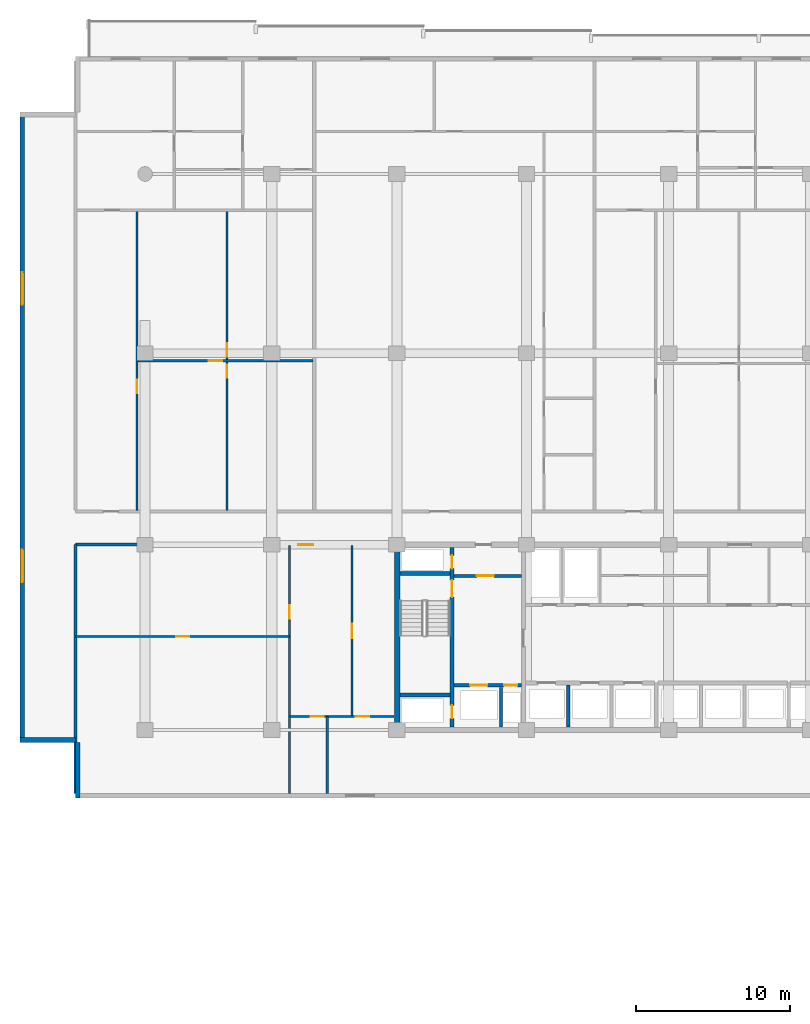
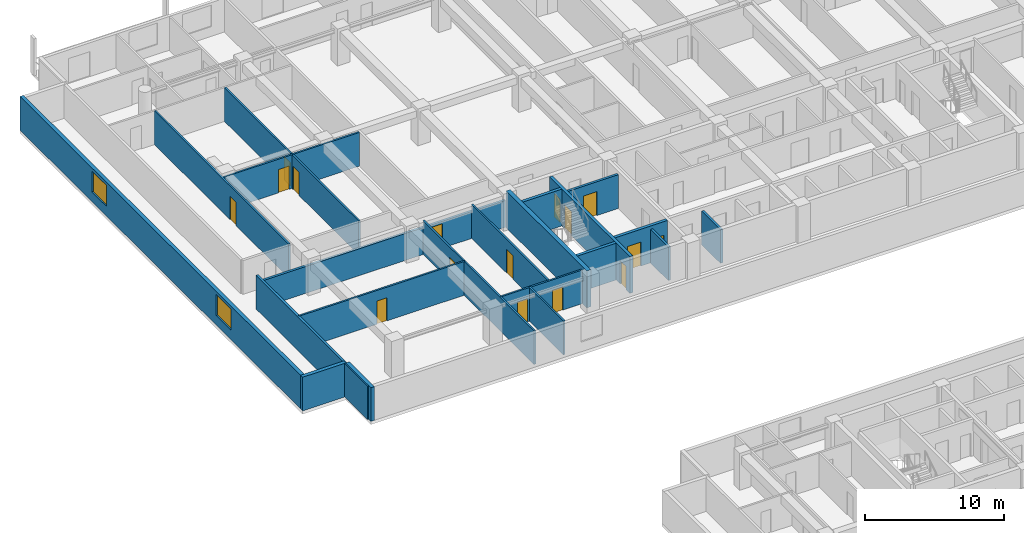
# One storey, part 10 of 24: 21 walls, 16 doors, 2 windows, 18 openings.
"""IFC4 building model written with IfcOpenShell, lengths in metres."""

from ifc_helpers import new_model, si_unit, direction, frame, frame_2d, origin, place, context, subcontext, project, spatial, rectangle, extrude, material, layer, layer_set, type_object, element, fill, save


model = new_model("IFC4")

# Units and contexts
model_context = context("Model", 3, precision=1e-05, world=origin(), true_north=direction((0.0, 1.0)))
body_context = subcontext(model_context, "Body", "Model", "MODEL_VIEW")
ifc_project = project(units=[si_unit("LENGTHUNIT", "METRE"), si_unit("AREAUNIT", "SQUARE_METRE"), si_unit("VOLUMEUNIT", "CUBIC_METRE"), si_unit("PLANEANGLEUNIT", "RADIAN"), si_unit("MASSUNIT", "GRAM", prefix="KILO")], contexts=[model_context])

# Site, building, storey
site_placement = place(None, origin())
site = spatial("IfcSite", under=ifc_project, at=site_placement, CompositionType="ELEMENT")
building_placement = place(site_placement, origin())
building = spatial("IfcBuilding", under=site, at=building_placement, Name="Korimba Cascade Residences", CompositionType="ELEMENT")
storey_placement = place(building_placement, frame((0.0, 0.0, 43.5)))
storey = spatial("IfcBuildingStorey", under=building, at=storey_placement, Name="L11", CompositionType="ELEMENT", Elevation=43.5)

# Wall, openings, windows
ifc_material_1 = material(Name="Precast concrete C40/50", Category="concrete")
ifc_layer_1 = layer(ifc_material_1, 0.300048828125)
ifc_layer_set_1 = layer_set([ifc_layer_1], Name="Precast concrete C40/50")
wall_type_1 = type_object("IfcWallType", Name="EW-STONE-300", PredefinedType="STANDARD", material=ifc_layer_set_1)
wall_1_placement = place(storey_placement, frame((51.85009765625, 95.199951171875, 0.0), z_axis=(0.0, 0.0, 1.0), x_axis=(0.0, -1.0, 0.0)))
wall_1 = element("IfcWall", 1, at=wall_1_placement, inside=storey, type_object=wall_type_1, Name="L11 T1 Perimeter Stone Wall E09", PredefinedType="STANDARD", context=body_context, shape_type="SweptSolid", body=[
    extrude(rectangle(XDim=40.800048828125, YDim=0.300048828125, at=frame_2d((20.39990234375, 0.0))), origin(), (0.0, 0.0, 1.0), 2.969970703125),
])
opening_1_placement = place(wall_1_placement, frame((10.3740234375, 0.0, 0.85009765625)))
opening_1 = element("IfcOpeningElement", 2, at=opening_1_placement, cuts=wall_1, Name="Opening W-03", PredefinedType="OPENING", context=body_context, shape_type="SweptSolid", body=[
    extrude(rectangle(XDim=2.10009765625, YDim=1.85009765625, at=frame_2d((1.050048828125, 0.925048828125))), frame((0.0, 0.16015625, 0.0), z_axis=(0.0, -1.0, 0.0), x_axis=(1.0, 0.0, 0.0)), (0.0, 0.0, 1.0), 0.320068359375),
])
opening_2_placement = place(wall_1_placement, frame((28.325927734375, 0.0, 0.85009765625)))
opening_2 = element("IfcOpeningElement", 3, at=opening_2_placement, cuts=wall_1, Name="Opening W-03", PredefinedType="OPENING", context=body_context, shape_type="SweptSolid", body=[
    extrude(rectangle(XDim=2.10009765625, YDim=1.85009765625, at=frame_2d((1.050048828125, 0.925048828125))), frame((0.0, 0.16015625, 0.0), z_axis=(0.0, -1.0, 0.0), x_axis=(1.0, 0.0, 0.0)), (0.0, 0.0, 1.0), 0.320068359375),
])
ifc_material_2 = material(Name="Double-Glazed Aluminium Window", Category="aluminium")
window_type = type_object("IfcWindowType", Name="WIN-CRN-2100", PartitioningType="DOUBLE_PANEL_HORIZONTAL", PredefinedType="WINDOW", material=ifc_material_2)
window_1_placement = place(opening_1_placement, origin())
window_1 = element("IfcWindow", 4, at=window_1_placement, inside=storey, type_object=window_type, Name="L11 T1 End View Window 9.1", OverallHeight=1.85009765625, OverallWidth=2.10009765625, PartitioningType="DOUBLE_PANEL_HORIZONTAL", PredefinedType="WINDOW", context=body_context, shape_type="SweptSolid", body=[
    extrude(rectangle(XDim=2.10009765625, YDim=1.85009765625, at=frame_2d((1.050048828125, 0.925048828125))), frame((0.0, 0.030029296875, 0.0), z_axis=(0.0, -1.0, 0.0), x_axis=(1.0, 0.0, 0.0)), (0.0, 0.0, 1.0), 0.06005859375),
])
fill(opening_1, window_1)
window_2_placement = place(opening_2_placement, origin())
window_2 = element("IfcWindow", 5, at=window_2_placement, inside=storey, type_object=window_type, Name="L11 T1 End View Window 9.2", OverallHeight=1.85009765625, OverallWidth=2.10009765625, PartitioningType="DOUBLE_PANEL_HORIZONTAL", PredefinedType="WINDOW", context=body_context, shape_type="SweptSolid", body=[
    extrude(rectangle(XDim=2.10009765625, YDim=1.85009765625, at=frame_2d((1.050048828125, 0.925048828125))), frame((0.0, 0.030029296875, 0.0), z_axis=(0.0, -1.0, 0.0), x_axis=(1.0, 0.0, 0.0)), (0.0, 0.0, 1.0), 0.06005859375),
])
fill(opening_2, window_2)

# Walls
wall_2_placement = place(storey_placement, frame((51.699951171875, 54.550048828125, 0.0), z_axis=(0.0, 0.0, 1.0), x_axis=(1.0, 0.0, 0.0)))
element("IfcWall", 6, at=wall_2_placement, inside=storey, type_object=wall_type_1, Name="L11 T1 Perimeter Stone Wall E10", PredefinedType="STANDARD", context=body_context, shape_type="SweptSolid", body=[
    extrude(rectangle(XDim=3.60009765625, YDim=0.300048828125, at=frame_2d((1.800048828125, 0.0))), origin(), (0.0, 0.0, 1.0), 2.969970703125),
])
wall_3_placement = place(storey_placement, frame((55.449951171875, 54.39990234375, 0.0), z_axis=(0.0, 0.0, 1.0), x_axis=(0.0, -1.0, 0.0)))
element("IfcWall", 7, at=wall_3_placement, inside=storey, type_object=wall_type_1, Name="L11 T1 Perimeter Stone Wall E11", PredefinedType="STANDARD", context=body_context, shape_type="SweptSolid", body=[
    extrude(rectangle(XDim=3.599853515625, YDim=0.300048828125, at=frame_2d((1.7998046875, 0.0))), origin(), (0.0, 0.0, 1.0), 2.969970703125),
])
ifc_material_3 = material(Name="Concrete C65/80", Category="concrete")
ifc_layer_2 = layer(ifc_material_3, 0.35009765625)
ifc_layer_set_2 = layer_set([ifc_layer_2], Name="Concrete C65/80")
wall_type_2 = type_object("IfcWallType", Name="WAL-CORE-350", PredefinedType="SHEAR", material=ifc_layer_set_2)
wall_4_placement = place(storey_placement, frame((76.125, 55.375, 0.0), z_axis=(0.0, 0.0, 1.0), x_axis=(0.0, 1.0, 0.0)))
element("IfcWall", 8, at=wall_4_placement, inside=storey, type_object=wall_type_2, Name="L11 Core Shear Wall CW-L11-T1-W", PredefinedType="SHEAR", context=body_context, shape_type="SweptSolid", body=[
    extrude(rectangle(XDim=11.64990234375, YDim=0.35009765625, at=frame_2d((5.824951171875, 0.0))), origin(), (0.0, 0.0, 1.0), 3.25),
])
ifc_layer_3 = layer(ifc_material_1, 0.199951171875)
ifc_layer_set_3 = layer_set([ifc_layer_3], Name="Precast concrete C40/50")
wall_type_3 = type_object("IfcWallType", Name="WAL-IT-200", PredefinedType="PARTITIONING", material=ifc_layer_set_3)
wall_5_placement = place(storey_placement, frame((55.300048828125, 51.10009765625, 0.0), z_axis=(0.0, 0.0, 1.0), x_axis=(0.0, 1.0, 0.0)))
element("IfcWall", 9, at=wall_5_placement, inside=storey, type_object=wall_type_3, Name="L11 Partition Wall WAL-L11-T1-FW-WL", PredefinedType="PARTITIONING", context=body_context, shape_type="SweptSolid", body=[
    extrude(rectangle(XDim=16.099853515625, YDim=0.199951171875, at=frame_2d((8.0498046875, 0.0))), origin(), (0.0, 0.0, 1.0), 2.969970703125),
])

# Wall, opening, door
wall_6_placement = place(storey_placement, frame((55.300048828125, 67.199951171875, 0.0), z_axis=(0.0, 0.0, 1.0), x_axis=(1.0, 0.0, 0.0)))
wall_6 = element("IfcWall", 10, at=wall_6_placement, inside=storey, type_object=wall_type_3, Name="L11 Partition Wall WAL-L11-T1-FW-N", PredefinedType="PARTITIONING", context=body_context, shape_type="SweptSolid", body=[
    extrude(rectangle(XDim=20.64990234375, YDim=0.199951171875, at=frame_2d((10.324951171875, 0.0))), origin(), (0.0, 0.0, 1.0), 2.3701171875),
])
opening_3_placement = place(wall_6_placement, frame((14.426025390625, 0.0, 0.0)))
opening_3 = element("IfcOpeningElement", 11, at=opening_3_placement, cuts=wall_6, Name="Opening D-UN1", PredefinedType="OPENING", context=body_context, shape_type="SweptSolid", body=[
    extrude(rectangle(XDim=0.949951171875, YDim=2.14990234375, at=frame_2d((0.47509765625, 1.074951171875))), frame((0.0, 0.10986328125, 0.0), z_axis=(0.0, -1.0, 0.0), x_axis=(1.0, 0.0, 0.0)), (0.0, 0.0, 1.0), 0.219970703125),
])
ifc_material_4 = material(Name="Fire-Rated Hardwood Apartment Entrance Door", Category="wood")
door_type_1 = type_object("IfcDoorType", Name="DR-FD60-950", OperationType="NOTDEFINED", PredefinedType="DOOR", material=ifc_material_4)
door_1_placement = place(opening_3_placement, origin())
door_1 = element("IfcDoor", 12, at=door_1_placement, inside=storey, type_object=door_type_1, Name="L11-T1-FW Entrance Door", OperationType="SINGLE_SWING_RIGHT", OverallHeight=2.14990234375, OverallWidth=0.949951171875, PredefinedType="DOOR", context=body_context, shape_type="SweptSolid", body=[
    extrude(rectangle(XDim=0.949951171875, YDim=2.14990234375, at=frame_2d((0.47509765625, 1.074951171875))), frame((0.0, 0.02490234375, 0.0), z_axis=(0.0, -1.0, 0.0), x_axis=(1.0, 0.0, 0.0)), (0.0, 0.0, 1.0), 0.050048828125),
])
fill(opening_3, door_1)

ifc_material_5 = material(Name="Insulated Acoustic Stud Partition", Category="gypsum")
ifc_layer_4 = layer(ifc_material_5, 0.14990234375)
ifc_layer_set_4 = layer_set([ifc_layer_4], Name="Insulated Acoustic Stud Partition")
wall_type_4 = type_object("IfcWallType", Name="WAL-PART-150", PredefinedType="PARTITIONING", material=ifc_layer_set_4)
wall_7_placement = place(storey_placement, frame((55.300048828125, 61.25, 0.0), z_axis=(0.0, 0.0, 1.0), x_axis=(1.0, 0.0, 0.0)))
wall_7 = element("IfcWall", 13, at=wall_7_placement, inside=storey, type_object=wall_type_4, Name="L11 Partition Wall WAL-L11-T1-FW-STH", PredefinedType="PARTITIONING", context=body_context, shape_type="SweptSolid", body=[
    extrude(rectangle(XDim=13.849853515625, YDim=0.14990234375, at=frame_2d((6.9248046875, 0.0))), origin(), (0.0, 0.0, 1.0), 2.969970703125),
])
opening_4_placement = place(wall_7_placement, frame((6.5048828125, 0.0, 0.0)))
opening_4 = element("IfcOpeningElement", 14, at=opening_4_placement, cuts=wall_7, Name="Opening D-BT1", PredefinedType="OPENING", context=body_context, shape_type="SweptSolid", body=[
    extrude(rectangle(XDim=0.840087890625, YDim=2.0400390625, at=frame_2d((0.419921875, 1.02001953125))), frame((0.0, 0.0849609375, 0.0), z_axis=(0.0, -1.0, 0.0), x_axis=(1.0, 0.0, 0.0)), (0.0, 0.0, 1.0), 0.169921875),
])
ifc_material_6 = material(Name="Moisture-Resistant Bathroom Timber Door", Category="wood")
door_type_2 = type_object("IfcDoorType", Name="DR-INT-850", OperationType="NOTDEFINED", PredefinedType="DOOR", material=ifc_material_6)
door_2_placement = place(opening_4_placement, origin())
door_2 = element("IfcDoor", 15, at=door_2_placement, inside=storey, type_object=door_type_2, Name="L11-T1-FW Dressing Store Door", OperationType="SINGLE_SWING_LEFT", OverallHeight=2.0400390625, OverallWidth=0.840087890625, PredefinedType="DOOR", context=body_context, shape_type="SweptSolid", body=[
    extrude(rectangle(XDim=0.840087890625, YDim=2.0400390625, at=frame_2d((0.419921875, 1.02001953125))), frame((0.0, 0.02490234375, 0.0), z_axis=(0.0, -1.0, 0.0), x_axis=(1.0, 0.0, 0.0)), (0.0, 0.0, 1.0), 0.050048828125),
])
fill(opening_4, door_2)

wall_8_placement = place(storey_placement, frame((69.14990234375, 51.10009765625, 0.0), z_axis=(0.0, 0.0, 1.0), x_axis=(0.0, 1.0, 0.0)))
wall_8 = element("IfcWall", 16, at=wall_8_placement, inside=storey, type_object=wall_type_4, Name="L11 Partition Wall WAL-L11-T1-FW-STV", PredefinedType="PARTITIONING", context=body_context, shape_type="SweptSolid", body=[
    extrude(rectangle(XDim=16.0498046875, YDim=0.14990234375, at=frame_2d((8.02490234375, 0.0))), origin(), (0.0, 0.0, 1.0), 2.969970703125),
])
opening_5_placement = place(wall_8_placement, frame((11.300048828125, 0.0, 0.0)))
opening_5 = element("IfcOpeningElement", 17, at=opening_5_placement, cuts=wall_8, Name="Opening D-IN2", PredefinedType="OPENING", context=body_context, shape_type="SweptSolid", body=[
    extrude(rectangle(XDim=0.8798828125, YDim=2.06005859375, at=frame_2d((0.43994140625, 1.030029296875))), frame((0.0, 0.0849609375, 0.0), z_axis=(0.0, -1.0, 0.0), x_axis=(1.0, 0.0, 0.0)), (0.0, 0.0, 1.0), 0.169921875),
])
ifc_material_7 = material(Name="Acoustic Timber Bedroom Door", Category="wood")
door_type_3 = type_object("IfcDoorType", Name="DR-INT-880", OperationType="NOTDEFINED", PredefinedType="DOOR", material=ifc_material_7)
door_3_placement = place(opening_5_placement, origin())
door_3 = element("IfcDoor", 18, at=door_3_placement, inside=storey, type_object=door_type_3, Name="L11-T1-FW Study Door", OperationType="SINGLE_SWING_RIGHT", OverallHeight=2.06005859375, OverallWidth=0.8798828125, PredefinedType="DOOR", context=body_context, shape_type="SweptSolid", body=[
    extrude(rectangle(XDim=0.8798828125, YDim=2.06005859375, at=frame_2d((0.43994140625, 1.030029296875))), frame((0.0, 0.02490234375, 0.0), z_axis=(0.0, -1.0, 0.0), x_axis=(1.0, 0.0, 0.0)), (0.0, 0.0, 1.0), 0.050048828125),
])
fill(opening_5, door_3)

wall_9_placement = place(storey_placement, frame((73.199951171875, 56.070068359375, 0.0), z_axis=(0.0, 0.0, 1.0), x_axis=(0.0, 1.0, 0.0)))
wall_9 = element("IfcWall", 19, at=wall_9_placement, inside=storey, type_object=wall_type_4, Name="L11 Partition Wall WAL-L11-T1-FW-VN", PredefinedType="PARTITIONING", context=body_context, shape_type="SweptSolid", body=[
    extrude(rectangle(XDim=11.079833984375, YDim=0.14990234375, at=frame_2d((5.5400390625, 0.0))), origin(), (0.0, 0.0, 1.0), 2.969970703125),
])
opening_6_placement = place(wall_9_placement, frame((5.080078125, 0.0, 0.0)))
opening_6 = element("IfcOpeningElement", 20, at=opening_6_placement, cuts=wall_9, Name="Opening D-IN1", PredefinedType="OPENING", context=body_context, shape_type="SweptSolid", body=[
    extrude(rectangle(XDim=0.919921875, YDim=2.080078125, at=frame_2d((0.4599609375, 1.0400390625))), frame((0.0, 0.0849609375, 0.0), z_axis=(0.0, -1.0, 0.0), x_axis=(1.0, 0.0, 0.0)), (0.0, 0.0, 1.0), 0.169921875),
])
ifc_material_8 = material(Name="Acoustic Timber Living Door", Category="wood")
door_type_4 = type_object("IfcDoorType", Name="DR-INT-920", OperationType="NOTDEFINED", PredefinedType="DOOR", material=ifc_material_8)
door_4_placement = place(opening_6_placement, origin())
door_4 = element("IfcDoor", 21, at=door_4_placement, inside=storey, type_object=door_type_4, Name="L11-T1-FW Living Door", OperationType="SINGLE_SWING_LEFT", OverallHeight=2.080078125, OverallWidth=0.919921875, PredefinedType="DOOR", context=body_context, shape_type="SweptSolid", body=[
    extrude(rectangle(XDim=0.919921875, YDim=2.080078125, at=frame_2d((0.4599609375, 1.0400390625))), frame((0.0, 0.02490234375, 0.0), z_axis=(0.0, -1.0, 0.0), x_axis=(1.0, 0.0, 0.0)), (0.0, 0.0, 1.0), 0.050048828125),
])
fill(opening_6, door_4)

# Wall
wall_10_placement = place(storey_placement, frame((71.60009765625, 51.10009765625, 0.0), z_axis=(0.0, 0.0, 1.0), x_axis=(0.0, 1.0, 0.0)))
element("IfcWall", 22, at=wall_10_placement, inside=storey, type_object=wall_type_4, Name="L11 Partition Wall WAL-L11-T1-FW-VS", PredefinedType="PARTITIONING", context=body_context, shape_type="SweptSolid", body=[
    extrude(rectangle(XDim=4.969970703125, YDim=0.14990234375, at=frame_2d((2.48486328125, 0.0))), origin(), (0.0, 0.0, 1.0), 2.969970703125),
])

# Wall, openings, doors
wall_11_placement = place(storey_placement, frame((69.169921875, 56.070068359375, 0.0), z_axis=(0.0, 0.0, 1.0), x_axis=(1.0, 0.0, 0.0)))
wall_11 = element("IfcWall", 23, at=wall_11_placement, inside=storey, type_object=wall_type_4, Name="L11 Partition Wall WAL-L11-T1-FW-H", PredefinedType="PARTITIONING", context=body_context, shape_type="SweptSolid", body=[
    extrude(rectangle(XDim=6.760009765625, YDim=0.14990234375, at=frame_2d((3.3798828125, 0.0))), origin(), (0.0, 0.0, 1.0), 2.969970703125),
])
opening_7_placement = place(wall_11_placement, frame((1.3623046875, 0.0, 0.0)))
opening_7 = element("IfcOpeningElement", 24, at=opening_7_placement, cuts=wall_11, Name="Opening D-BT1", PredefinedType="OPENING", context=body_context, shape_type="SweptSolid", body=[
    extrude(rectangle(XDim=0.840087890625, YDim=2.0400390625, at=frame_2d((0.419921875, 1.02001953125))), frame((0.0, 0.0849609375, 0.0), z_axis=(0.0, -1.0, 0.0), x_axis=(1.0, 0.0, 0.0)), (0.0, 0.0, 1.0), 0.169921875),
])
opening_8_placement = place(wall_11_placement, frame((4.276611328125, 0.0, 0.0)))
opening_8 = element("IfcOpeningElement", 25, at=opening_8_placement, cuts=wall_11, Name="Opening D-IN2", PredefinedType="OPENING", context=body_context, shape_type="SweptSolid", body=[
    extrude(rectangle(XDim=0.8798828125, YDim=2.06005859375, at=frame_2d((0.43994140625, 1.030029296875))), frame((0.0, 0.0849609375, 0.0), z_axis=(0.0, -1.0, 0.0), x_axis=(1.0, 0.0, 0.0)), (0.0, 0.0, 1.0), 0.169921875),
])
door_5_placement = place(opening_7_placement, origin())
door_5 = element("IfcDoor", 26, at=door_5_placement, inside=storey, type_object=door_type_2, Name="L11-T1-FW Bathroom Door", OperationType="SINGLE_SWING_RIGHT", OverallHeight=2.0400390625, OverallWidth=0.840087890625, PredefinedType="DOOR", context=body_context, shape_type="SweptSolid", body=[
    extrude(rectangle(XDim=0.840087890625, YDim=2.0400390625, at=frame_2d((0.419921875, 1.02001953125))), frame((0.0, 0.02490234375, 0.0), z_axis=(0.0, -1.0, 0.0), x_axis=(1.0, 0.0, 0.0)), (0.0, 0.0, 1.0), 0.050048828125),
])
fill(opening_7, door_5)
door_6_placement = place(opening_8_placement, origin())
door_6 = element("IfcDoor", 27, at=door_6_placement, inside=storey, type_object=door_type_3, Name="L11-T1-FW Bedroom Door", OperationType="SINGLE_SWING_LEFT", OverallHeight=2.06005859375, OverallWidth=0.8798828125, PredefinedType="DOOR", context=body_context, shape_type="SweptSolid", body=[
    extrude(rectangle(XDim=0.8798828125, YDim=2.06005859375, at=frame_2d((0.43994140625, 1.030029296875))), frame((0.0, 0.02490234375, 0.0), z_axis=(0.0, -1.0, 0.0), x_axis=(1.0, 0.0, 0.0)), (0.0, 0.0, 1.0), 0.050048828125),
])
fill(opening_8, door_6)

wall_12_placement = place(storey_placement, frame((65.1025390625, 69.409912109375, 0.0), z_axis=(0.0, 0.0, 1.0), x_axis=(0.0, 1.0, 0.0)))
wall_12 = element("IfcWall", 28, at=wall_12_placement, inside=storey, type_object=wall_type_4, Name="L11 Partition Wall WAL-L11-T1-U01-FMV", PredefinedType="PARTITIONING", context=body_context, shape_type="SweptSolid", body=[
    extrude(rectangle(XDim=19.400146484375, YDim=0.14990234375, at=frame_2d((9.7001953125, 0.0))), origin(), (0.0, 0.0, 1.0), 2.969970703125),
])
opening_9_placement = place(wall_12_placement, frame((8.610107421875, 0.0, 0.0)))
opening_9 = element("IfcOpeningElement", 29, at=opening_9_placement, cuts=wall_12, Name="Opening D-BT1", PredefinedType="OPENING", context=body_context, shape_type="SweptSolid", body=[
    extrude(rectangle(XDim=0.840087890625, YDim=2.0400390625, at=frame_2d((0.419921875, 1.02001953125))), frame((0.0, 0.0849609375, 0.0), z_axis=(0.0, -1.0, 0.0), x_axis=(1.0, 0.0, 0.0)), (0.0, 0.0, 1.0), 0.169921875),
])
opening_10_placement = place(wall_12_placement, frame((9.949951171875, 0.0, 0.0)))
opening_10 = element("IfcOpeningElement", 30, at=opening_10_placement, cuts=wall_12, Name="Opening D-IN2", PredefinedType="OPENING", context=body_context, shape_type="SweptSolid", body=[
    extrude(rectangle(XDim=0.8798828125, YDim=2.06005859375, at=frame_2d((0.43994140625, 1.030029296875))), frame((0.0, 0.0849609375, 0.0), z_axis=(0.0, -1.0, 0.0), x_axis=(1.0, 0.0, 0.0)), (0.0, 0.0, 1.0), 0.169921875),
])
door_7_placement = place(opening_9_placement, origin())
door_7 = element("IfcDoor", 31, at=door_7_placement, inside=storey, type_object=door_type_2, Name="L11-T1-U01 Wardrobe Door", OperationType="SINGLE_SWING_LEFT", OverallHeight=2.0400390625, OverallWidth=0.840087890625, PredefinedType="DOOR", context=body_context, shape_type="SweptSolid", body=[
    extrude(rectangle(XDim=0.840087890625, YDim=2.0400390625, at=frame_2d((0.419921875, 1.02001953125))), frame((0.0, 0.02490234375, 0.0), z_axis=(0.0, -1.0, 0.0), x_axis=(1.0, 0.0, 0.0)), (0.0, 0.0, 1.0), 0.050048828125),
])
fill(opening_9, door_7)
door_8_placement = place(opening_10_placement, origin())
door_8 = element("IfcDoor", 32, at=door_8_placement, inside=storey, type_object=door_type_3, Name="L11-T1-U01 Music Lounge Door", OperationType="SINGLE_SWING_RIGHT", OverallHeight=2.06005859375, OverallWidth=0.8798828125, PredefinedType="DOOR", context=body_context, shape_type="SweptSolid", body=[
    extrude(rectangle(XDim=0.8798828125, YDim=2.06005859375, at=frame_2d((0.43994140625, 1.030029296875))), frame((0.0, 0.02490234375, 0.0), z_axis=(0.0, -1.0, 0.0), x_axis=(1.0, 0.0, 0.0)), (0.0, 0.0, 1.0), 0.050048828125),
])
fill(opening_10, door_8)

# Wall, opening, door
wall_13_placement = place(storey_placement, frame((59.330078125, 79.110107421875, 0.0), z_axis=(0.0, 0.0, 1.0), x_axis=(1.0, 0.0, 0.0)))
wall_13 = element("IfcWall", 33, at=wall_13_placement, inside=storey, type_object=wall_type_4, Name="L11 Partition Wall WAL-L11-T1-U01-FMH", PredefinedType="PARTITIONING", context=body_context, shape_type="SweptSolid", body=[
    extrude(rectangle(XDim=11.34521484375, YDim=0.14990234375, at=frame_2d((5.672607421875, 0.0))), origin(), (0.0, 0.0, 1.0), 2.969970703125),
])
opening_11_placement = place(wall_13_placement, frame((4.586181640625, 0.0, 0.0)))
opening_11 = element("IfcOpeningElement", 34, at=opening_11_placement, cuts=wall_13, Name="Opening D-IN2", PredefinedType="OPENING", context=body_context, shape_type="SweptSolid", body=[
    extrude(rectangle(XDim=0.8798828125, YDim=2.06005859375, at=frame_2d((0.43994140625, 1.030029296875))), frame((0.0, 0.0849609375, 0.0), z_axis=(0.0, -1.0, 0.0), x_axis=(1.0, 0.0, 0.0)), (0.0, 0.0, 1.0), 0.169921875),
])
door_9_placement = place(opening_11_placement, origin())
door_9 = element("IfcDoor", 35, at=door_9_placement, inside=storey, type_object=door_type_3, Name="L11-T1-U01 Library Salon Door", OperationType="SINGLE_SWING_LEFT", OverallHeight=2.06005859375, OverallWidth=0.8798828125, PredefinedType="DOOR", context=body_context, shape_type="SweptSolid", body=[
    extrude(rectangle(XDim=0.8798828125, YDim=2.06005859375, at=frame_2d((0.43994140625, 1.030029296875))), frame((0.0, 0.02490234375, 0.0), z_axis=(0.0, -1.0, 0.0), x_axis=(1.0, 0.0, 0.0)), (0.0, 0.0, 1.0), 0.050048828125),
])
fill(opening_11, door_9)

wall_14_placement = place(storey_placement, frame((59.27001953125, 69.409912109375, 0.0), z_axis=(0.0, 0.0, 1.0), x_axis=(0.0, 1.0, 0.0)))
wall_14 = element("IfcWall", 36, at=wall_14_placement, inside=storey, type_object=wall_type_4, Name="L11 Partition Wall WAL-L11-T1-U01-FV", PredefinedType="PARTITIONING", context=body_context, shape_type="SweptSolid", body=[
    extrude(rectangle(XDim=19.400146484375, YDim=0.14990234375, at=frame_2d((9.7001953125, 0.0))), origin(), (0.0, 0.0, 1.0), 2.969970703125),
])
opening_12_placement = place(wall_14_placement, frame((7.58349609375, 0.0, 0.0)))
opening_12 = element("IfcOpeningElement", 37, at=opening_12_placement, cuts=wall_14, Name="Opening D-IN2", PredefinedType="OPENING", context=body_context, shape_type="SweptSolid", body=[
    extrude(rectangle(XDim=0.8798828125, YDim=2.06005859375, at=frame_2d((0.43994140625, 1.030029296875))), frame((0.0, 0.0849609375, 0.0), z_axis=(0.0, -1.0, 0.0), x_axis=(1.0, 0.0, 0.0)), (0.0, 0.0, 1.0), 0.169921875),
])
door_10_placement = place(opening_12_placement, origin())
door_10 = element("IfcDoor", 38, at=door_10_placement, inside=storey, type_object=door_type_3, Name="L11-T1-U01 Media Lounge Door", OperationType="SINGLE_SWING_RIGHT", OverallHeight=2.06005859375, OverallWidth=0.8798828125, PredefinedType="DOOR", context=body_context, shape_type="SweptSolid", body=[
    extrude(rectangle(XDim=0.8798828125, YDim=2.06005859375, at=frame_2d((0.43994140625, 1.030029296875))), frame((0.0, 0.02490234375, 0.0), z_axis=(0.0, -1.0, 0.0), x_axis=(1.0, 0.0, 0.0)), (0.0, 0.0, 1.0), 0.050048828125),
])
fill(opening_12, door_10)

# Wall
ifc_material_9 = material(Name="Concrete C40/50", Category="concrete")
ifc_layer_5 = layer(ifc_material_9, 0.199951171875)
ifc_layer_set_5 = layer_set([ifc_layer_5], Name="Concrete C40/50")
wall_type_5 = type_object("IfcWallType", Name="WAL-PART-200", PredefinedType="PARTITIONING", material=ifc_layer_set_5)
wall_15_placement = place(storey_placement, frame((82.85009765625, 55.39990234375, 0.0), z_axis=(0.0, 0.0, 1.0), x_axis=(0.0, 1.0, 0.0)))
element("IfcWall", 39, at=wall_15_placement, inside=storey, type_object=wall_type_5, Name="L11 Partition Wall CW-L11-T1-FFLDIV", PredefinedType="PARTITIONING", context=body_context, shape_type="SweptSolid", body=[
    extrude(rectangle(XDim=2.56005859375, YDim=0.199951171875, at=frame_2d((1.280029296875, 0.0))), origin(), (0.0, 0.0, 1.0), 2.969970703125),
])

# Wall, opening, door
wall_16_placement = place(storey_placement, frame((79.7900390625, 65.179931640625, 0.0), z_axis=(0.0, 0.0, 1.0), x_axis=(1.0, 0.0, 0.0)))
wall_16 = element("IfcWall", 40, at=wall_16_placement, inside=storey, type_object=wall_type_5, Name="L11 Partition Wall CW-L11-T1-FFLN", PredefinedType="PARTITIONING", context=body_context, shape_type="SweptSolid", body=[
    extrude(rectangle(XDim=4.389892578125, YDim=0.199951171875, at=frame_2d((2.19482421875, 0.0))), origin(), (0.0, 0.0, 1.0), 2.969970703125),
])
opening_13_placement = place(wall_16_placement, frame((1.5, 0.0, 0.0)))
opening_13 = element("IfcOpeningElement", 41, at=opening_13_placement, cuts=wall_16, Name="Opening D-FD1", PredefinedType="OPENING", context=body_context, shape_type="SweptSolid", body=[
    extrude(rectangle(XDim=1.10009765625, YDim=2.10009765625, at=frame_2d((0.550048828125, 1.050048828125))), frame((0.0, 0.10986328125, 0.0), z_axis=(0.0, -1.0, 0.0), x_axis=(1.0, 0.0, 0.0)), (0.0, 0.0, 1.0), 0.219970703125),
])
ifc_material_10 = material(Name="Fire-Rated Steel Core Door", Category="steel")
door_type_5 = type_object("IfcDoorType", Name="DR-FD120-1100", OperationType="NOTDEFINED", PredefinedType="DOOR", material=ifc_material_10)
door_11_placement = place(opening_13_placement, origin())
door_11 = element("IfcDoor", 42, at=door_11_placement, inside=storey, type_object=door_type_5, Name="L11 West Firefighting Lobby Door", OperationType="SINGLE_SWING_RIGHT", OverallHeight=2.10009765625, OverallWidth=1.10009765625, PredefinedType="DOOR", context=body_context, shape_type="SweptSolid", body=[
    extrude(rectangle(XDim=1.10009765625, YDim=2.10009765625, at=frame_2d((0.550048828125, 1.050048828125))), frame((0.0, 0.02490234375, 0.0), z_axis=(0.0, -1.0, 0.0), x_axis=(1.0, 0.0, 0.0)), (0.0, 0.0, 1.0), 0.050048828125),
])
fill(opening_13, door_11)

# Wall
wall_17_placement = place(storey_placement, frame((87.199951171875, 55.39990234375, 0.0), z_axis=(0.0, 0.0, 1.0), x_axis=(0.0, 1.0, 0.0)))
element("IfcWall", 43, at=wall_17_placement, inside=storey, type_object=wall_type_5, Name="L11 Partition Wall CW-L11-T1-B1D1", PredefinedType="PARTITIONING", context=body_context, shape_type="SweptSolid", body=[
    extrude(rectangle(XDim=2.72021484375, YDim=0.199951171875, at=frame_2d((1.360107421875, 0.0))), origin(), (0.0, 0.0, 1.0), 2.969970703125),
])

# Wall, openings, doors
ifc_material_11 = material(Name="Concrete C50/60", Category="concrete")
ifc_layer_6 = layer(ifc_material_11, 0.25)
ifc_layer_set_6 = layer_set([ifc_layer_6], Name="Concrete C50/60")
wall_type_6 = type_object("IfcWallType", Name="WAL-SHAFT-250", PredefinedType="SHEAR", material=ifc_layer_set_6)
wall_18_placement = place(storey_placement, frame((79.6650390625, 55.39990234375, 0.0), z_axis=(0.0, 0.0, 1.0), x_axis=(0.0, 1.0, 0.0)))
wall_18 = element("IfcWall", 44, at=wall_18_placement, inside=storey, type_object=wall_type_6, Name="L11 Core Shear Wall CW-L11-T1-STW1E", PredefinedType="SHEAR", context=body_context, shape_type="SweptSolid", body=[
    extrude(rectangle(XDim=11.60009765625, YDim=0.25, at=frame_2d((5.800048828125, 0.0))), origin(), (0.0, 0.0, 1.0), 3.25),
])
opening_14_placement = place(wall_18_placement, frame((0.550048828125, 0.0, 0.0)))
opening_14 = element("IfcOpeningElement", 45, at=opening_14_placement, cuts=wall_18, Name="Opening D-RS1", PredefinedType="OPENING", context=body_context, shape_type="SweptSolid", body=[
    extrude(rectangle(XDim=0.85009765625, YDim=2.050048828125, at=frame_2d((0.425048828125, 1.02490234375))), frame((0.0, 0.135009765625, 0.0), z_axis=(0.0, -1.0, 0.0), x_axis=(1.0, 0.0, 0.0)), (0.0, 0.0, 1.0), 0.27001953125),
])
opening_15_placement = place(wall_18_placement, frame((8.39990234375, 0.0, 0.0)))
opening_15 = element("IfcOpeningElement", 46, at=opening_15_placement, cuts=wall_18, Name="Opening D-FD1", PredefinedType="OPENING", context=body_context, shape_type="SweptSolid", body=[
    extrude(rectangle(XDim=1.10009765625, YDim=2.10009765625, at=frame_2d((0.550048828125, 1.050048828125))), frame((0.0, 0.135009765625, 0.0), z_axis=(0.0, -1.0, 0.0), x_axis=(1.0, 0.0, 0.0)), (0.0, 0.0, 1.0), 0.27001953125),
])
opening_16_placement = place(wall_18_placement, frame((10.25, 0.0, 0.0)))
opening_16 = element("IfcOpeningElement", 47, at=opening_16_placement, cuts=wall_18, Name="Opening D-RS1", PredefinedType="OPENING", context=body_context, shape_type="SweptSolid", body=[
    extrude(rectangle(XDim=0.85009765625, YDim=2.050048828125, at=frame_2d((0.425048828125, 1.02490234375))), frame((0.0, 0.135009765625, 0.0), z_axis=(0.0, -1.0, 0.0), x_axis=(1.0, 0.0, 0.0)), (0.0, 0.0, 1.0), 0.27001953125),
])
door_12_placement = place(opening_15_placement, origin())
door_12 = element("IfcDoor", 48, at=door_12_placement, inside=storey, type_object=door_type_5, Name="L11 Fire Stair ST-W1 Door", OperationType="SINGLE_SWING_LEFT", OverallHeight=2.10009765625, OverallWidth=1.10009765625, PredefinedType="DOOR", context=body_context, shape_type="SweptSolid", body=[
    extrude(rectangle(XDim=1.10009765625, YDim=2.10009765625, at=frame_2d((0.550048828125, 1.050048828125))), frame((0.0, 0.02490234375, 0.0), z_axis=(0.0, -1.0, 0.0), x_axis=(1.0, 0.0, 0.0)), (0.0, 0.0, 1.0), 0.050048828125),
])
fill(opening_15, door_12)
ifc_material_12 = material(Name="Fire-Rated Steel Riser Access Door", Category="steel")
door_type_6 = type_object("IfcDoorType", Name="DR-FD60-850", OperationType="NOTDEFINED", PredefinedType="DOOR", material=ifc_material_12)
door_13_placement = place(opening_14_placement, origin())
door_13 = element("IfcDoor", 49, at=door_13_placement, inside=storey, type_object=door_type_6, Name="L11 Smoke Riser Access Door", OperationType="SINGLE_SWING_RIGHT", OverallHeight=2.050048828125, OverallWidth=0.85009765625, PredefinedType="DOOR", context=body_context, shape_type="SweptSolid", body=[
    extrude(rectangle(XDim=0.85009765625, YDim=2.050048828125, at=frame_2d((0.425048828125, 1.02490234375))), frame((0.0, 0.02490234375, 0.0), z_axis=(0.0, -1.0, 0.0), x_axis=(1.0, 0.0, 0.0)), (0.0, 0.0, 1.0), 0.050048828125),
])
fill(opening_14, door_13)
door_14_placement = place(opening_16_placement, origin())
door_14 = element("IfcDoor", 50, at=door_14_placement, inside=storey, type_object=door_type_6, Name="L11 Hydrant Riser Access Door", OperationType="SINGLE_SWING_RIGHT", OverallHeight=2.050048828125, OverallWidth=0.85009765625, PredefinedType="DOOR", context=body_context, shape_type="SweptSolid", body=[
    extrude(rectangle(XDim=0.85009765625, YDim=2.050048828125, at=frame_2d((0.425048828125, 1.02490234375))), frame((0.0, 0.02490234375, 0.0), z_axis=(0.0, -1.0, 0.0), x_axis=(1.0, 0.0, 0.0)), (0.0, 0.0, 1.0), 0.050048828125),
])
fill(opening_16, door_14)

# Walls
for number, where, z_axis, x_axis, name in (
    (51, (76.300048828125, 57.47509765625, 0.0), (0.0, 0.0, 1.0), (1.0, 0.0, 0.0), "L11 Core Shear Wall CW-L11-T1-STW1S"),
    (52, (76.300048828125, 65.324951171875, 0.0), (0.0, 0.0, 1.0), (1.0, 0.0, 0.0), "L11 Core Shear Wall CW-L11-T1-STW1N"),
):
    element("IfcWall", number, at=place(storey_placement, frame(where, z_axis=z_axis, x_axis=x_axis)), inside=storey, type_object=wall_type_6, Name=name, PredefinedType="SHEAR", context=body_context, shape_type="SweptSolid", body=[
        extrude(rectangle(XDim=3.239990234375, YDim=0.25, at=frame_2d((1.6201171875, 0.0))), origin(), (0.0, 0.0, 1.0), 3.25),
    ])

# Wall, openings, doors
wall_19_placement = place(storey_placement, frame((79.7900390625, 58.10009765625, 0.0), z_axis=(0.0, 0.0, 1.0), x_axis=(1.0, 0.0, 0.0)))
wall_19 = element("IfcWall", 53, at=wall_19_placement, inside=storey, type_object=wall_type_6, Name="L11 Core Shear Wall CW-L11-T1-FFLS", PredefinedType="SHEAR", context=body_context, shape_type="SweptSolid", body=[
    extrude(rectangle(XDim=4.389892578125, YDim=0.25, at=frame_2d((2.19482421875, 0.0))), origin(), (0.0, 0.0, 1.0), 3.25),
])
opening_17_placement = place(wall_19_placement, frame((1.050048828125, 0.0, 0.0)))
opening_17 = element("IfcOpeningElement", 54, at=opening_17_placement, cuts=wall_19, Name="Opening LD-01", PredefinedType="OPENING", context=body_context, shape_type="SweptSolid", body=[
    extrude(rectangle(XDim=1.1201171875, YDim=2.1201171875, at=frame_2d((0.56005859375, 1.06005859375))), frame((0.0, 0.135009765625, 0.0), z_axis=(0.0, -1.0, 0.0), x_axis=(1.0, 0.0, 0.0)), (0.0, 0.0, 1.0), 0.27001953125),
])
opening_18_placement = place(wall_19_placement, frame((3.260009765625, 0.0, 0.0)))
opening_18 = element("IfcOpeningElement", 55, at=opening_18_placement, cuts=wall_19, Name="Opening D-RS1", PredefinedType="OPENING", context=body_context, shape_type="SweptSolid", body=[
    extrude(rectangle(XDim=0.85009765625, YDim=2.050048828125, at=frame_2d((0.425048828125, 1.02490234375))), frame((0.0, 0.135009765625, 0.0), z_axis=(0.0, -1.0, 0.0), x_axis=(1.0, 0.0, 0.0)), (0.0, 0.0, 1.0), 0.27001953125),
])
door_15_placement = place(opening_18_placement, origin())
door_15 = element("IfcDoor", 56, at=door_15_placement, inside=storey, type_object=door_type_6, Name="L11 Pressurisation Riser Door", OperationType="SINGLE_SWING_LEFT", OverallHeight=2.050048828125, OverallWidth=0.85009765625, PredefinedType="DOOR", context=body_context, shape_type="SweptSolid", body=[
    extrude(rectangle(XDim=0.85009765625, YDim=2.050048828125, at=frame_2d((0.425048828125, 1.02490234375))), frame((0.0, 0.02490234375, 0.0), z_axis=(0.0, -1.0, 0.0), x_axis=(1.0, 0.0, 0.0)), (0.0, 0.0, 1.0), 0.050048828125),
])
fill(opening_18, door_15)
ifc_material_13 = material(Name="Stainless Steel Lift Landing Sliding Door", Category="steel")
door_type_7 = type_object("IfcDoorType", Name="DR-LIFT-1100", OperationType="NOTDEFINED", PredefinedType="DOOR", material=ifc_material_13)
door_16_placement = place(opening_17_placement, origin())
door_16 = element("IfcDoor", 57, at=door_16_placement, inside=storey, type_object=door_type_7, Name="L11 Firefighting Lift Landing Door FFL-W1", OperationType="SLIDING_TO_LEFT", OverallHeight=2.1201171875, OverallWidth=1.1201171875, PredefinedType="DOOR", context=body_context, shape_type="SweptSolid", body=[
    extrude(rectangle(XDim=1.1201171875, YDim=2.1201171875, at=frame_2d((0.56005859375, 1.06005859375))), frame((0.0, 0.02490234375, 0.0), z_axis=(0.0, -1.0, 0.0), x_axis=(1.0, 0.0, 0.0)), (0.0, 0.0, 1.0), 0.050048828125),
])
fill(opening_17, door_16)

save(model, "model.ifc")
